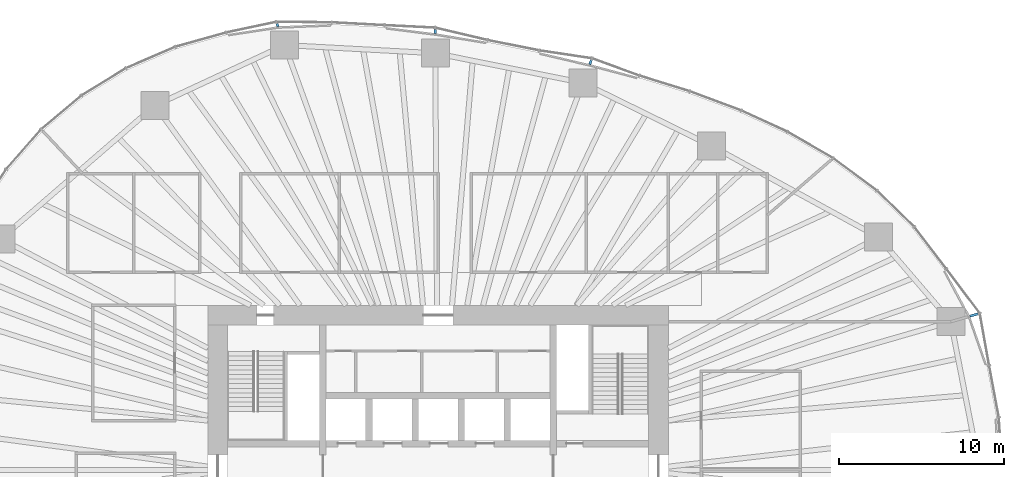
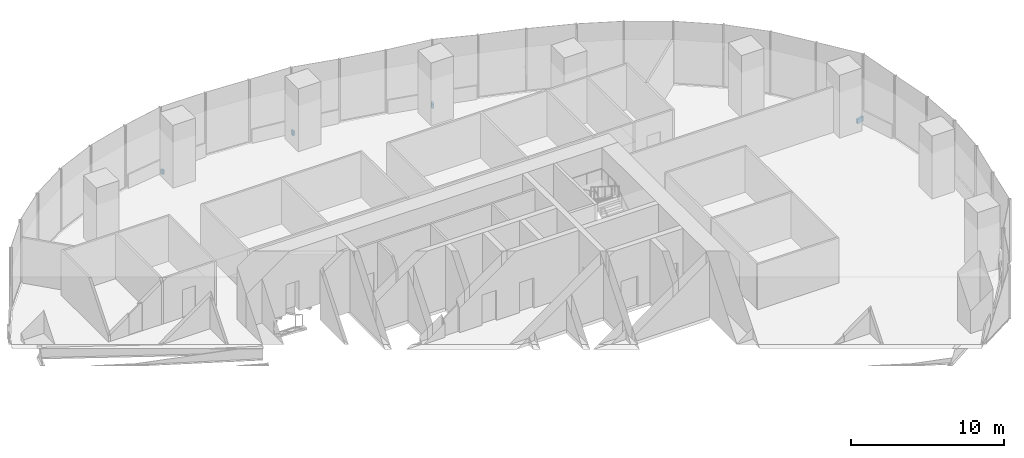
# One storey, part 15 of 19: 4 discrete accessories.
"""IFC4 building model written with IfcOpenShell, lengths in metres."""

from ifc_helpers import new_model, si_unit, direction, frame, origin, origin_2d, place, context, subcontext, project, spatial, rectangle, extrude, material, type_object, element, save


model = new_model("IFC4")

# Units and contexts
model_context = context("Model", 3, precision=1e-05, world=origin(), true_north=direction((0.0, 1.0)))
body_context = subcontext(model_context, "Body", "Model", "MODEL_VIEW")
ifc_project = project(units=[si_unit("LENGTHUNIT", "METRE"), si_unit("AREAUNIT", "SQUARE_METRE"), si_unit("VOLUMEUNIT", "CUBIC_METRE"), si_unit("PLANEANGLEUNIT", "RADIAN"), si_unit("MASSUNIT", "GRAM", prefix="KILO")], contexts=[model_context])

# Site, building, storey
site_placement = place(None, origin())
site = spatial("IfcSite", under=ifc_project, at=site_placement, CompositionType="ELEMENT")
building_placement = place(site_placement, origin())
building = spatial("IfcBuilding", under=site, at=building_placement, Name="Ghaith Harvest Tower", CompositionType="ELEMENT")
storey_placement = place(building_placement, frame((0.0, 0.0, 70.0)))
storey = spatial("IfcBuildingStorey", under=building, at=storey_placement, Name="L14", CompositionType="ELEMENT", Elevation=70.0)

# Discrete accessories
ifc_material_1 = material(Name="Stainless steel grade 1.4401", Category="steel")
discrete_accessory_type_1 = type_object("IfcDiscreteAccessoryType", Name="CURTAIN WALL BRACKET 205", PredefinedType="BRACKET", material=ifc_material_1)
discrete_accessory_1_placement = place(storey_placement, frame((-9.766845703125, 27.04150390625, -0.25), z_axis=(0.0, 0.0, 1.0), x_axis=(-0.339699453402, 0.94053404051, 0.0)))
element("IfcDiscreteAccessory", 1, at=discrete_accessory_1_placement, inside=storey, type_object=discrete_accessory_type_1, Name="CW-F bracket 1 bay 07 L14", PredefinedType="BRACKET", context=body_context, shape_type="SweptSolid", body=[
    extrude(rectangle(XDim=0.205078125, YDim=0.14990234375, at=origin_2d()), origin(), (0.0, 0.0, 1.0), 0.35009765625),
])
ifc_material_2 = material(Name="Stainless steel grade 1.4401", Category="steel")
discrete_accessory_type_2 = type_object("IfcDiscreteAccessoryType", Name="CURTAIN WALL BRACKET 255", PredefinedType="BRACKET", material=ifc_material_2)
discrete_accessory_2_placement = place(storey_placement, frame((-0.182373046875, 26.649658203125, -0.25), z_axis=(0.0, 0.0, 1.0), x_axis=(-0.006843747783, 0.999976581284, 0.0)))
element("IfcDiscreteAccessory", 2, at=discrete_accessory_2_placement, inside=storey, type_object=discrete_accessory_type_2, Name="CW-F bracket 1 bay 06 L14", PredefinedType="BRACKET", context=body_context, shape_type="SweptSolid", body=[
    extrude(rectangle(XDim=0.2548828125, YDim=0.14990234375, at=origin_2d()), origin(), (0.0, 0.0, 1.0), 0.35009765625),
])
ifc_material_3 = material(Name="Stainless steel grade 1.4401", Category="steel")
discrete_accessory_type_3 = type_object("IfcDiscreteAccessoryType", Name="CURTAIN WALL BRACKET 295", PredefinedType="BRACKET", material=ifc_material_3)
discrete_accessory_3_placement = place(storey_placement, frame((9.265380859375, 24.7841796875, -0.25), z_axis=(0.0, 0.0, 1.0), x_axis=(0.35016769709, 0.936687025593, 0.0)))
element("IfcDiscreteAccessory", 3, at=discrete_accessory_3_placement, inside=storey, type_object=discrete_accessory_type_3, Name="CW-F bracket 1 bay 05 L14", PredefinedType="BRACKET", context=body_context, shape_type="SweptSolid", body=[
    extrude(rectangle(XDim=0.294921875, YDim=0.14990234375, at=origin_2d()), origin(), (0.0, 0.0, 1.0), 0.35009765625),
])
ifc_material_4 = material(Name="Stainless steel grade 1.4401", Category="steel")
discrete_accessory_type_4 = type_object("IfcDiscreteAccessoryType", Name="CURTAIN WALL BRACKET 535", PredefinedType="BRACKET", material=ifc_material_4)
discrete_accessory_4_placement = place(storey_placement, frame((32.570556640625, 9.41357421875, -0.25), z_axis=(0.0, 0.0, 1.0), x_axis=(0.960680349985, 0.277656739792, 0.0)))
element("IfcDiscreteAccessory", 4, at=discrete_accessory_4_placement, inside=storey, type_object=discrete_accessory_type_4, Name="CW-F bracket 1 bay 02 L14", PredefinedType="BRACKET", context=body_context, shape_type="SweptSolid", body=[
    extrude(rectangle(XDim=0.534912109375, YDim=0.14990234375, at=origin_2d()), origin(), (0.0, 0.0, 1.0), 0.35009765625),
])

save(model, "model.ifc")
